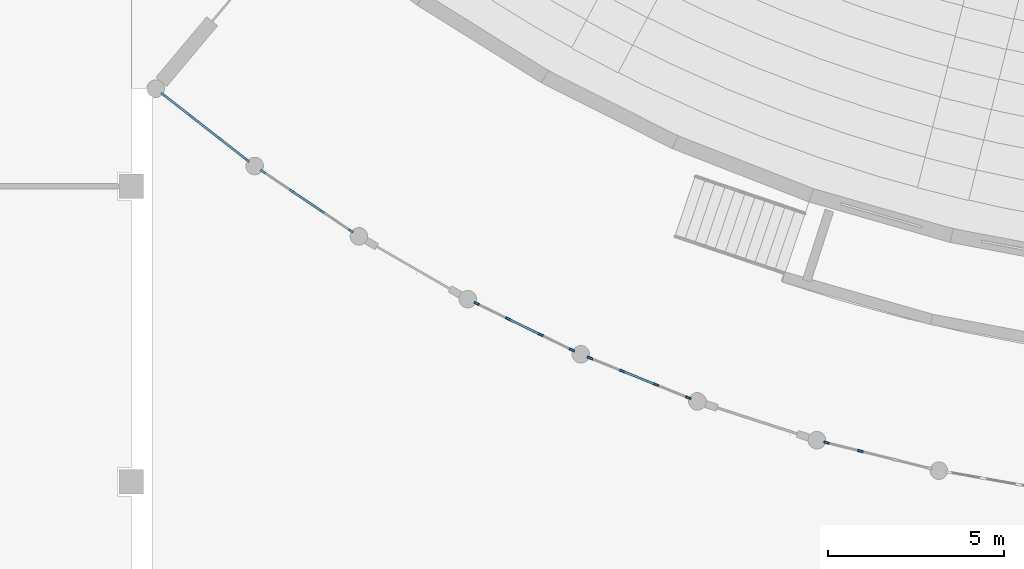
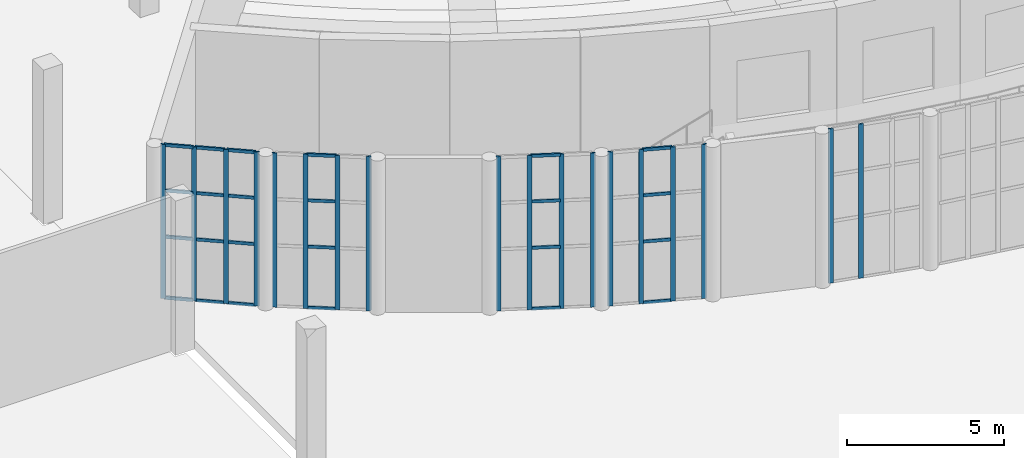
# One storey, part 44 of 210: 42 members, 5 elements without a shape of their own.
"""IFC4 building model written with IfcOpenShell, lengths in metres."""

from ifc_helpers import new_model, si_unit, direction, frame, origin, origin_2d, place, context, subcontext, project, spatial, rectangle, extrude, material, layer, layer_set, material_profile, profile_set, type_object, element, aggregate, save


model = new_model("IFC4")

# Units and contexts
model_context = context("Model", 3, precision=1e-05, world=origin(), true_north=direction((0.0, 1.0)))
body_context = subcontext(model_context, "Body", "Model", "MODEL_VIEW")
ifc_project = project(units=[si_unit("LENGTHUNIT", "METRE"), si_unit("AREAUNIT", "SQUARE_METRE"), si_unit("VOLUMEUNIT", "CUBIC_METRE"), si_unit("PLANEANGLEUNIT", "RADIAN"), si_unit("MASSUNIT", "GRAM", prefix="KILO")], contexts=[model_context])

# Site, building, storey
site_placement = place(None, origin())
site = spatial("IfcSite", under=ifc_project, at=site_placement, CompositionType="ELEMENT")
building_placement = place(site_placement, origin())
building = spatial("IfcBuilding", under=site, at=building_placement, Name="Rain Tree Exposition and Congress Centre", CompositionType="ELEMENT")
storey_placement = place(building_placement, origin())
storey = spatial("IfcBuildingStorey", under=building, at=storey_placement, Name="L00", CompositionType="ELEMENT", Elevation=0.0)

# Curtain wall, members
ifc_material_1 = material(Name="Aluminium", Category="aluminium")
ifc_layer = layer(ifc_material_1, 0.10009765625)
ifc_layer_set = layer_set([ifc_layer], Name="Aluminium")
curtain_wall_type = type_object("IfcCurtainWallType", Name="Curtain wall congress", PredefinedType="NOTDEFINED", material=ifc_layer_set)
curtain_wall_1_placement = place(storey_placement, origin())
curtain_wall_1 = element("IfcCurtainWall", 1, at=curtain_wall_1_placement, inside=storey, type_object=curtain_wall_type, Name="Curtain wall L00 bay 1", PredefinedType="NOTDEFINED")
ifc_material_2 = material(Name="Aluminium", Category="aluminium")
ifc_material_profile_1 = material_profile(ifc_material_2, rectangle(XDim=0.06005859375, YDim=0.159912109375, at=origin_2d()), Name="AL 60x160")
ifc_profile_set_1 = profile_set([ifc_material_profile_1], Name="Aluminium")
member_type_1 = type_object("IfcMemberType", Name="Curtain wall mullion 60x160 congress", PredefinedType="MULLION", material=ifc_profile_set_1)
member_1_placement = place(storey_placement, frame((168.909912109375, 27.80615234375, 0.0), z_axis=(0.0, 0.0, 1.0), x_axis=(0.615671189348, 0.788003164084, 0.0)))
member_1 = element("IfcMember", 2, at=member_1_placement, type_object=member_type_1, Name="CWG101 mullion 1", PredefinedType="MULLION", context=body_context, shape_type="SweptSolid", body=[
    extrude(rectangle(XDim=0.06005859375, YDim=0.159912109375, at=origin_2d()), origin(), (0.0, 0.0, 1.0), 6.0),
])
member_2_placement = place(storey_placement, frame((169.693603515625, 27.19384765625, 0.0), z_axis=(0.0, 0.0, 1.0), x_axis=(0.615671189348, 0.788003164084, 0.0)))
member_2 = element("IfcMember", 3, at=member_2_placement, type_object=member_type_1, Name="CWG101 mullion 2", PredefinedType="MULLION", context=body_context, shape_type="SweptSolid", body=[
    extrude(rectangle(XDim=0.06005859375, YDim=0.159912109375, at=origin_2d()), origin(), (0.0, 0.0, 1.0), 6.0),
])
member_3_placement = place(storey_placement, frame((170.5009765625, 26.56298828125, 0.0), z_axis=(0.0, 0.0, 1.0), x_axis=(0.615671189348, 0.788003164084, 0.0)))
member_3 = element("IfcMember", 4, at=member_3_placement, type_object=member_type_1, Name="CWG101 mullion 3", PredefinedType="MULLION", context=body_context, shape_type="SweptSolid", body=[
    extrude(rectangle(XDim=0.06005859375, YDim=0.159912109375, at=origin_2d()), origin(), (0.0, 0.0, 1.0), 6.0),
])
member_4_placement = place(storey_placement, frame((171.28466796875, 25.95068359375, 0.0), z_axis=(0.0, 0.0, 1.0), x_axis=(0.615671189348, 0.788003164084, 0.0)))
member_4 = element("IfcMember", 5, at=member_4_placement, type_object=member_type_1, Name="CWG101 mullion 4", PredefinedType="MULLION", context=body_context, shape_type="SweptSolid", body=[
    extrude(rectangle(XDim=0.06005859375, YDim=0.159912109375, at=origin_2d()), origin(), (0.0, 0.0, 1.0), 6.0),
])

curtain_wall_2_placement = place(storey_placement, origin())
curtain_wall_2 = element("IfcCurtainWall", 6, at=curtain_wall_2_placement, inside=storey, type_object=curtain_wall_type, Name="Curtain wall L00 bay 2", PredefinedType="NOTDEFINED")
member_5_placement = place(storey_placement, frame((171.737548828125, 25.621826171875, 0.0), z_axis=(0.0, 0.0, 1.0), x_axis=(0.559196793659, 0.829034948577, 0.0)))
member_5 = element("IfcMember", 7, at=member_5_placement, type_object=member_type_1, Name="CWG102 mullion 1", PredefinedType="MULLION", context=body_context, shape_type="SweptSolid", body=[
    extrude(rectangle(XDim=0.06005859375, YDim=0.159912109375, at=origin_2d()), origin(), (0.0, 0.0, 1.0), 6.0),
])
member_6_placement = place(storey_placement, frame((172.56201171875, 25.065673828125, 0.0), z_axis=(0.0, 0.0, 1.0), x_axis=(0.559196793659, 0.829034948577, 0.0)))
member_6 = element("IfcMember", 8, at=member_6_placement, type_object=member_type_1, Name="CWG102 mullion 2", PredefinedType="MULLION", context=body_context, shape_type="SweptSolid", body=[
    extrude(rectangle(XDim=0.06005859375, YDim=0.159912109375, at=origin_2d()), origin(), (0.0, 0.0, 1.0), 6.0),
])
member_7_placement = place(storey_placement, frame((173.41162109375, 24.49267578125, 0.0), z_axis=(0.0, 0.0, 1.0), x_axis=(0.559196793659, 0.829034948577, 0.0)))
member_7 = element("IfcMember", 9, at=member_7_placement, type_object=member_type_1, Name="CWG102 mullion 3", PredefinedType="MULLION", context=body_context, shape_type="SweptSolid", body=[
    extrude(rectangle(XDim=0.06005859375, YDim=0.159912109375, at=origin_2d()), origin(), (0.0, 0.0, 1.0), 6.0),
])
member_8_placement = place(storey_placement, frame((174.236083984375, 23.9365234375, 0.0), z_axis=(0.0, 0.0, 1.0), x_axis=(0.559196793659, 0.829034948577, 0.0)))
member_8 = element("IfcMember", 10, at=member_8_placement, type_object=member_type_1, Name="CWG102 mullion 4", PredefinedType="MULLION", context=body_context, shape_type="SweptSolid", body=[
    extrude(rectangle(XDim=0.06005859375, YDim=0.159912109375, at=origin_2d()), origin(), (0.0, 0.0, 1.0), 6.0),
])

curtain_wall_3_placement = place(storey_placement, origin())
curtain_wall_3 = element("IfcCurtainWall", 11, at=curtain_wall_3_placement, inside=storey, type_object=curtain_wall_type, Name="Curtain wall L00 bay 4", PredefinedType="NOTDEFINED")
member_9_placement = place(storey_placement, frame((177.814697265625, 21.870361328125, 0.0), z_axis=(0.0, 0.0, 1.0), x_axis=(0.438368505628, 0.898795334475, 0.0)))
member_9 = element("IfcMember", 12, at=member_9_placement, type_object=member_type_1, Name="CWG104 mullion 1", PredefinedType="MULLION", context=body_context, shape_type="SweptSolid", body=[
    extrude(rectangle(XDim=0.06005859375, YDim=0.159912109375, at=origin_2d()), origin(), (0.0, 0.0, 1.0), 6.0),
])
member_10_placement = place(storey_placement, frame((178.708740234375, 21.434326171875, 0.0), z_axis=(0.0, 0.0, 1.0), x_axis=(0.438368505628, 0.898795334475, 0.0)))
member_10 = element("IfcMember", 13, at=member_10_placement, type_object=member_type_1, Name="CWG104 mullion 2", PredefinedType="MULLION", context=body_context, shape_type="SweptSolid", body=[
    extrude(rectangle(XDim=0.06005859375, YDim=0.159912109375, at=origin_2d()), origin(), (0.0, 0.0, 1.0), 6.0),
])
member_11_placement = place(storey_placement, frame((179.629638671875, 20.9853515625, 0.0), z_axis=(0.0, 0.0, 1.0), x_axis=(0.438368505628, 0.898795334475, 0.0)))
member_11 = element("IfcMember", 14, at=member_11_placement, type_object=member_type_1, Name="CWG104 mullion 3", PredefinedType="MULLION", context=body_context, shape_type="SweptSolid", body=[
    extrude(rectangle(XDim=0.06005859375, YDim=0.159912109375, at=origin_2d()), origin(), (0.0, 0.0, 1.0), 6.0),
])
member_12_placement = place(storey_placement, frame((180.5234375, 20.54931640625, 0.0), z_axis=(0.0, 0.0, 1.0), x_axis=(0.438368505628, 0.898795334475, 0.0)))
member_12 = element("IfcMember", 15, at=member_12_placement, type_object=member_type_1, Name="CWG104 mullion 4", PredefinedType="MULLION", context=body_context, shape_type="SweptSolid", body=[
    extrude(rectangle(XDim=0.06005859375, YDim=0.159912109375, at=origin_2d()), origin(), (0.0, 0.0, 1.0), 6.0),
])

curtain_wall_4_placement = place(storey_placement, origin())
curtain_wall_4 = element("IfcCurtainWall", 16, at=curtain_wall_4_placement, inside=storey, type_object=curtain_wall_type, Name="Curtain wall L00 bay 5", PredefinedType="NOTDEFINED")
member_13_placement = place(storey_placement, frame((181.03466796875, 20.321533203125, 0.0), z_axis=(0.0, 0.0, 1.0), x_axis=(0.374596988714, 0.92718773506, 0.0)))
member_13 = element("IfcMember", 17, at=member_13_placement, type_object=member_type_1, Name="CWG105 mullion 1", PredefinedType="MULLION", context=body_context, shape_type="SweptSolid", body=[
    extrude(rectangle(XDim=0.06005859375, YDim=0.159912109375, at=origin_2d()), origin(), (0.0, 0.0, 1.0), 6.0),
])
member_14_placement = place(storey_placement, frame((181.956787109375, 19.948974609375, 0.0), z_axis=(0.0, 0.0, 1.0), x_axis=(0.374596988714, 0.92718773506, 0.0)))
member_14 = element("IfcMember", 18, at=member_14_placement, type_object=member_type_1, Name="CWG105 mullion 2", PredefinedType="MULLION", context=body_context, shape_type="SweptSolid", body=[
    extrude(rectangle(XDim=0.06005859375, YDim=0.159912109375, at=origin_2d()), origin(), (0.0, 0.0, 1.0), 6.0),
])
member_15_placement = place(storey_placement, frame((182.90673828125, 19.565185546875, 0.0), z_axis=(0.0, 0.0, 1.0), x_axis=(0.374596988714, 0.92718773506, 0.0)))
member_15 = element("IfcMember", 19, at=member_15_placement, type_object=member_type_1, Name="CWG105 mullion 3", PredefinedType="MULLION", context=body_context, shape_type="SweptSolid", body=[
    extrude(rectangle(XDim=0.06005859375, YDim=0.159912109375, at=origin_2d()), origin(), (0.0, 0.0, 1.0), 6.0),
])
member_16_placement = place(storey_placement, frame((183.8291015625, 19.192626953125, 0.0), z_axis=(0.0, 0.0, 1.0), x_axis=(0.374596988714, 0.92718773506, 0.0)))
member_16 = element("IfcMember", 20, at=member_16_placement, type_object=member_type_1, Name="CWG105 mullion 4", PredefinedType="MULLION", context=body_context, shape_type="SweptSolid", body=[
    extrude(rectangle(XDim=0.06005859375, YDim=0.159912109375, at=origin_2d()), origin(), (0.0, 0.0, 1.0), 6.0),
])

curtain_wall_5_placement = place(storey_placement, origin())
curtain_wall_5 = element("IfcCurtainWall", 21, at=curtain_wall_5_placement, inside=storey, type_object=curtain_wall_type, Name="Curtain wall L00 bay 7", PredefinedType="NOTDEFINED")
member_17_placement = place(storey_placement, frame((187.759033203125, 17.91552734375, 0.0), z_axis=(0.0, 0.0, 1.0), x_axis=(0.241923171133, 0.970295408249, 0.0)))
member_17 = element("IfcMember", 22, at=member_17_placement, type_object=member_type_1, Name="CWG107 mullion 1", PredefinedType="MULLION", context=body_context, shape_type="SweptSolid", body=[
    extrude(rectangle(XDim=0.06005859375, YDim=0.159912109375, at=origin_2d()), origin(), (0.0, 0.0, 1.0), 6.0),
])
member_18_placement = place(storey_placement, frame((188.72412109375, 17.675048828125, 0.0), z_axis=(0.0, 0.0, 1.0), x_axis=(0.241923171133, 0.970295408249, 0.0)))
member_18 = element("IfcMember", 23, at=member_18_placement, type_object=member_type_1, Name="CWG107 mullion 2", PredefinedType="MULLION", context=body_context, shape_type="SweptSolid", body=[
    extrude(rectangle(XDim=0.06005859375, YDim=0.159912109375, at=origin_2d()), origin(), (0.0, 0.0, 1.0), 6.0),
])
aggregate(curtain_wall_5, [member_17, member_18])

# Member
ifc_material_3 = material(Name="Aluminium", Category="aluminium")
ifc_material_profile_2 = material_profile(ifc_material_3, rectangle(XDim=0.06005859375, YDim=0.1201171875, at=origin_2d()), Name="AL 60x120")
ifc_profile_set_2 = profile_set([ifc_material_profile_2], Name="Aluminium")
member_type_2 = type_object("IfcMemberType", Name="Curtain wall transom 60x120 congress", PredefinedType="USERDEFINED", material=ifc_profile_set_2)
member_19_placement = place(storey_placement, frame((168.93359375, 27.78759765625, 0.030029296875), z_axis=(0.787929306804, -0.615765708268, 0.0), x_axis=(0.615765708268, 0.787929306804, 0.0)))
member_19 = element("IfcMember", 24, at=member_19_placement, type_object=member_type_2, Name="CWG101 transom 1.1", ObjectType="TRANSOM", PredefinedType="USERDEFINED", context=body_context, shape_type="SweptSolid", body=[
    extrude(rectangle(XDim=0.06005859375, YDim=0.1201171875, at=origin_2d()), origin(), (0.0, 0.0, 1.0), 0.9345703125),
])

member_20_placement = place(storey_placement, frame((168.93359375, 27.78759765625, 2.39990234375), z_axis=(0.787929306804, -0.615765708268, 0.0), x_axis=(0.615765708268, 0.787929306804, 0.0)))
member_20 = element("IfcMember", 25, at=member_20_placement, type_object=member_type_2, Name="CWG101 transom 1.2", ObjectType="TRANSOM", PredefinedType="USERDEFINED", context=body_context, shape_type="SweptSolid", body=[
    extrude(rectangle(XDim=0.06005859375, YDim=0.1201171875, at=origin_2d()), origin(), (0.0, 0.0, 1.0), 0.9345703125),
])

member_21_placement = place(storey_placement, frame((168.93359375, 27.78759765625, 4.199951171875), z_axis=(0.787929306804, -0.615765708268, 0.0), x_axis=(0.615765708268, 0.787929306804, 0.0)))
member_21 = element("IfcMember", 26, at=member_21_placement, type_object=member_type_2, Name="CWG101 transom 1.3", ObjectType="TRANSOM", PredefinedType="USERDEFINED", context=body_context, shape_type="SweptSolid", body=[
    extrude(rectangle(XDim=0.06005859375, YDim=0.1201171875, at=origin_2d()), origin(), (0.0, 0.0, 1.0), 0.9345703125),
])

member_22_placement = place(storey_placement, frame((168.93359375, 27.78759765625, 5.969970703125), z_axis=(0.787929306804, -0.615765708268, 0.0), x_axis=(0.615765708268, 0.787929306804, 0.0)))
member_22 = element("IfcMember", 27, at=member_22_placement, type_object=member_type_2, Name="CWG101 transom 1.4", ObjectType="TRANSOM", PredefinedType="USERDEFINED", context=body_context, shape_type="SweptSolid", body=[
    extrude(rectangle(XDim=0.06005859375, YDim=0.1201171875, at=origin_2d()), origin(), (0.0, 0.0, 1.0), 0.9345703125),
])

member_23_placement = place(storey_placement, frame((169.71728515625, 27.17529296875, 0.030029296875), z_axis=(0.788028211506, -0.61563912958, 0.0), x_axis=(0.61563912958, 0.788028211506, 0.0)))
member_23 = element("IfcMember", 28, at=member_23_placement, type_object=member_type_2, Name="CWG101 transom 2.1", ObjectType="TRANSOM", PredefinedType="USERDEFINED", context=body_context, shape_type="SweptSolid", body=[
    extrude(rectangle(XDim=0.06005859375, YDim=0.1201171875, at=origin_2d()), origin(), (0.0, 0.0, 1.0), 0.96435546875),
])

member_24_placement = place(storey_placement, frame((169.71728515625, 27.17529296875, 2.39990234375), z_axis=(0.788028211506, -0.61563912958, 0.0), x_axis=(0.61563912958, 0.788028211506, 0.0)))
member_24 = element("IfcMember", 29, at=member_24_placement, type_object=member_type_2, Name="CWG101 transom 2.2", ObjectType="TRANSOM", PredefinedType="USERDEFINED", context=body_context, shape_type="SweptSolid", body=[
    extrude(rectangle(XDim=0.06005859375, YDim=0.1201171875, at=origin_2d()), origin(), (0.0, 0.0, 1.0), 0.96435546875),
])

member_25_placement = place(storey_placement, frame((169.71728515625, 27.17529296875, 4.199951171875), z_axis=(0.788028211506, -0.61563912958, 0.0), x_axis=(0.61563912958, 0.788028211506, 0.0)))
member_25 = element("IfcMember", 30, at=member_25_placement, type_object=member_type_2, Name="CWG101 transom 2.3", ObjectType="TRANSOM", PredefinedType="USERDEFINED", context=body_context, shape_type="SweptSolid", body=[
    extrude(rectangle(XDim=0.06005859375, YDim=0.1201171875, at=origin_2d()), origin(), (0.0, 0.0, 1.0), 0.96435546875),
])

member_26_placement = place(storey_placement, frame((169.71728515625, 27.17529296875, 5.969970703125), z_axis=(0.788028211506, -0.61563912958, 0.0), x_axis=(0.61563912958, 0.788028211506, 0.0)))
member_26 = element("IfcMember", 31, at=member_26_placement, type_object=member_type_2, Name="CWG101 transom 2.4", ObjectType="TRANSOM", PredefinedType="USERDEFINED", context=body_context, shape_type="SweptSolid", body=[
    extrude(rectangle(XDim=0.06005859375, YDim=0.1201171875, at=origin_2d()), origin(), (0.0, 0.0, 1.0), 0.96435546875),
])

member_27_placement = place(storey_placement, frame((170.524658203125, 26.54443359375, 0.030029296875), z_axis=(0.788155054179, -0.615476734387, 0.0), x_axis=(0.615476734387, 0.788155054179, 0.0)))
member_27 = element("IfcMember", 32, at=member_27_placement, type_object=member_type_2, Name="CWG101 transom 3.1", ObjectType="TRANSOM", PredefinedType="USERDEFINED", context=body_context, shape_type="SweptSolid", body=[
    extrude(rectangle(XDim=0.06005859375, YDim=0.1201171875, at=origin_2d()), origin(), (0.0, 0.0, 1.0), 0.9345703125),
])

member_28_placement = place(storey_placement, frame((170.524658203125, 26.54443359375, 2.39990234375), z_axis=(0.788155054179, -0.615476734387, 0.0), x_axis=(0.615476734387, 0.788155054179, 0.0)))
member_28 = element("IfcMember", 33, at=member_28_placement, type_object=member_type_2, Name="CWG101 transom 3.2", ObjectType="TRANSOM", PredefinedType="USERDEFINED", context=body_context, shape_type="SweptSolid", body=[
    extrude(rectangle(XDim=0.06005859375, YDim=0.1201171875, at=origin_2d()), origin(), (0.0, 0.0, 1.0), 0.9345703125),
])

member_29_placement = place(storey_placement, frame((170.524658203125, 26.54443359375, 4.199951171875), z_axis=(0.788155054179, -0.615476734387, 0.0), x_axis=(0.615476734387, 0.788155054179, 0.0)))
member_29 = element("IfcMember", 34, at=member_29_placement, type_object=member_type_2, Name="CWG101 transom 3.3", ObjectType="TRANSOM", PredefinedType="USERDEFINED", context=body_context, shape_type="SweptSolid", body=[
    extrude(rectangle(XDim=0.06005859375, YDim=0.1201171875, at=origin_2d()), origin(), (0.0, 0.0, 1.0), 0.9345703125),
])

member_30_placement = place(storey_placement, frame((170.524658203125, 26.54443359375, 5.969970703125), z_axis=(0.788155054179, -0.615476734387, 0.0), x_axis=(0.615476734387, 0.788155054179, 0.0)))
member_30 = element("IfcMember", 35, at=member_30_placement, type_object=member_type_2, Name="CWG101 transom 3.4", ObjectType="TRANSOM", PredefinedType="USERDEFINED", context=body_context, shape_type="SweptSolid", body=[
    extrude(rectangle(XDim=0.06005859375, YDim=0.1201171875, at=origin_2d()), origin(), (0.0, 0.0, 1.0), 0.9345703125),
])

aggregate(curtain_wall_1, [member_1, member_2, member_3, member_4, member_19, member_20, member_21, member_22, member_23, member_24, member_25, member_26, member_27, member_28, member_29, member_30])

member_31_placement = place(storey_placement, frame((172.5869140625, 25.048828125, 0.030029296875), z_axis=(0.829118509883, -0.559072890211, 0.0), x_axis=(0.559072890211, 0.829118509883, 0.0)))
member_31 = element("IfcMember", 36, at=member_31_placement, type_object=member_type_2, Name="CWG102 transom 2.1", ObjectType="TRANSOM", PredefinedType="USERDEFINED", context=body_context, shape_type="SweptSolid", body=[
    extrude(rectangle(XDim=0.06005859375, YDim=0.1201171875, at=origin_2d()), origin(), (0.0, 0.0, 1.0), 0.964599609375),
])

member_32_placement = place(storey_placement, frame((172.5869140625, 25.048828125, 2.39990234375), z_axis=(0.829118509883, -0.559072890211, 0.0), x_axis=(0.559072890211, 0.829118509883, 0.0)))
member_32 = element("IfcMember", 37, at=member_32_placement, type_object=member_type_2, Name="CWG102 transom 2.2", ObjectType="TRANSOM", PredefinedType="USERDEFINED", context=body_context, shape_type="SweptSolid", body=[
    extrude(rectangle(XDim=0.06005859375, YDim=0.1201171875, at=origin_2d()), origin(), (0.0, 0.0, 1.0), 0.964599609375),
])

member_33_placement = place(storey_placement, frame((172.5869140625, 25.048828125, 4.199951171875), z_axis=(0.829118509883, -0.559072890211, 0.0), x_axis=(0.559072890211, 0.829118509883, 0.0)))
member_33 = element("IfcMember", 38, at=member_33_placement, type_object=member_type_2, Name="CWG102 transom 2.3", ObjectType="TRANSOM", PredefinedType="USERDEFINED", context=body_context, shape_type="SweptSolid", body=[
    extrude(rectangle(XDim=0.06005859375, YDim=0.1201171875, at=origin_2d()), origin(), (0.0, 0.0, 1.0), 0.964599609375),
])

member_34_placement = place(storey_placement, frame((172.5869140625, 25.048828125, 5.969970703125), z_axis=(0.829118509883, -0.559072890211, 0.0), x_axis=(0.559072890211, 0.829118509883, 0.0)))
member_34 = element("IfcMember", 39, at=member_34_placement, type_object=member_type_2, Name="CWG102 transom 2.4", ObjectType="TRANSOM", PredefinedType="USERDEFINED", context=body_context, shape_type="SweptSolid", body=[
    extrude(rectangle(XDim=0.06005859375, YDim=0.1201171875, at=origin_2d()), origin(), (0.0, 0.0, 1.0), 0.964599609375),
])

aggregate(curtain_wall_2, [member_5, member_6, member_7, member_8, member_31, member_32, member_33, member_34])

member_35_placement = place(storey_placement, frame((178.735595703125, 21.421142578125, 0.030029296875), z_axis=(0.898787905279, -0.438383737523, 0.0), x_axis=(0.438383737523, 0.898787905279, 0.0)))
member_35 = element("IfcMember", 40, at=member_35_placement, type_object=member_type_2, Name="CWG104 transom 2.1", ObjectType="TRANSOM", PredefinedType="USERDEFINED", context=body_context, shape_type="SweptSolid", body=[
    extrude(rectangle(XDim=0.06005859375, YDim=0.1201171875, at=origin_2d()), origin(), (0.0, 0.0, 1.0), 0.964599609375),
])

member_36_placement = place(storey_placement, frame((178.735595703125, 21.421142578125, 2.39990234375), z_axis=(0.898787905279, -0.438383737523, 0.0), x_axis=(0.438383737523, 0.898787905279, 0.0)))
member_36 = element("IfcMember", 41, at=member_36_placement, type_object=member_type_2, Name="CWG104 transom 2.2", ObjectType="TRANSOM", PredefinedType="USERDEFINED", context=body_context, shape_type="SweptSolid", body=[
    extrude(rectangle(XDim=0.06005859375, YDim=0.1201171875, at=origin_2d()), origin(), (0.0, 0.0, 1.0), 0.964599609375),
])

member_37_placement = place(storey_placement, frame((178.735595703125, 21.421142578125, 4.199951171875), z_axis=(0.898787905279, -0.438383737523, 0.0), x_axis=(0.438383737523, 0.898787905279, 0.0)))
member_37 = element("IfcMember", 42, at=member_37_placement, type_object=member_type_2, Name="CWG104 transom 2.3", ObjectType="TRANSOM", PredefinedType="USERDEFINED", context=body_context, shape_type="SweptSolid", body=[
    extrude(rectangle(XDim=0.06005859375, YDim=0.1201171875, at=origin_2d()), origin(), (0.0, 0.0, 1.0), 0.964599609375),
])

member_38_placement = place(storey_placement, frame((178.735595703125, 21.421142578125, 5.969970703125), z_axis=(0.898787905279, -0.438383737523, 0.0), x_axis=(0.438383737523, 0.898787905279, 0.0)))
member_38 = element("IfcMember", 43, at=member_38_placement, type_object=member_type_2, Name="CWG104 transom 2.4", ObjectType="TRANSOM", PredefinedType="USERDEFINED", context=body_context, shape_type="SweptSolid", body=[
    extrude(rectangle(XDim=0.06005859375, YDim=0.1201171875, at=origin_2d()), origin(), (0.0, 0.0, 1.0), 0.964599609375),
])

aggregate(curtain_wall_3, [member_9, member_10, member_11, member_12, member_35, member_36, member_37, member_38])

member_39_placement = place(storey_placement, frame((181.984619140625, 19.937744140625, 0.030029296875), z_axis=(0.927179288599, -0.374617894384, 0.0), x_axis=(0.374617894384, 0.927179288599, 0.0)))
member_39 = element("IfcMember", 44, at=member_39_placement, type_object=member_type_2, Name="CWG105 transom 2.1", ObjectType="TRANSOM", PredefinedType="USERDEFINED", context=body_context, shape_type="SweptSolid", body=[
    extrude(rectangle(XDim=0.06005859375, YDim=0.1201171875, at=origin_2d()), origin(), (0.0, 0.0, 1.0), 0.964599609375),
])

member_40_placement = place(storey_placement, frame((181.984619140625, 19.937744140625, 2.39990234375), z_axis=(0.927179288599, -0.374617894384, 0.0), x_axis=(0.374617894384, 0.927179288599, 0.0)))
member_40 = element("IfcMember", 45, at=member_40_placement, type_object=member_type_2, Name="CWG105 transom 2.2", ObjectType="TRANSOM", PredefinedType="USERDEFINED", context=body_context, shape_type="SweptSolid", body=[
    extrude(rectangle(XDim=0.06005859375, YDim=0.1201171875, at=origin_2d()), origin(), (0.0, 0.0, 1.0), 0.964599609375),
])

member_41_placement = place(storey_placement, frame((181.984619140625, 19.937744140625, 4.199951171875), z_axis=(0.927179288599, -0.374617894384, 0.0), x_axis=(0.374617894384, 0.927179288599, 0.0)))
member_41 = element("IfcMember", 46, at=member_41_placement, type_object=member_type_2, Name="CWG105 transom 2.3", ObjectType="TRANSOM", PredefinedType="USERDEFINED", context=body_context, shape_type="SweptSolid", body=[
    extrude(rectangle(XDim=0.06005859375, YDim=0.1201171875, at=origin_2d()), origin(), (0.0, 0.0, 1.0), 0.964599609375),
])

member_42_placement = place(storey_placement, frame((181.984619140625, 19.937744140625, 5.969970703125), z_axis=(0.927179288599, -0.374617894384, 0.0), x_axis=(0.374617894384, 0.927179288599, 0.0)))
member_42 = element("IfcMember", 47, at=member_42_placement, type_object=member_type_2, Name="CWG105 transom 2.4", ObjectType="TRANSOM", PredefinedType="USERDEFINED", context=body_context, shape_type="SweptSolid", body=[
    extrude(rectangle(XDim=0.06005859375, YDim=0.1201171875, at=origin_2d()), origin(), (0.0, 0.0, 1.0), 0.964599609375),
])

aggregate(curtain_wall_4, [member_13, member_14, member_15, member_16, member_39, member_40, member_41, member_42])

save(model, "model.ifc")
